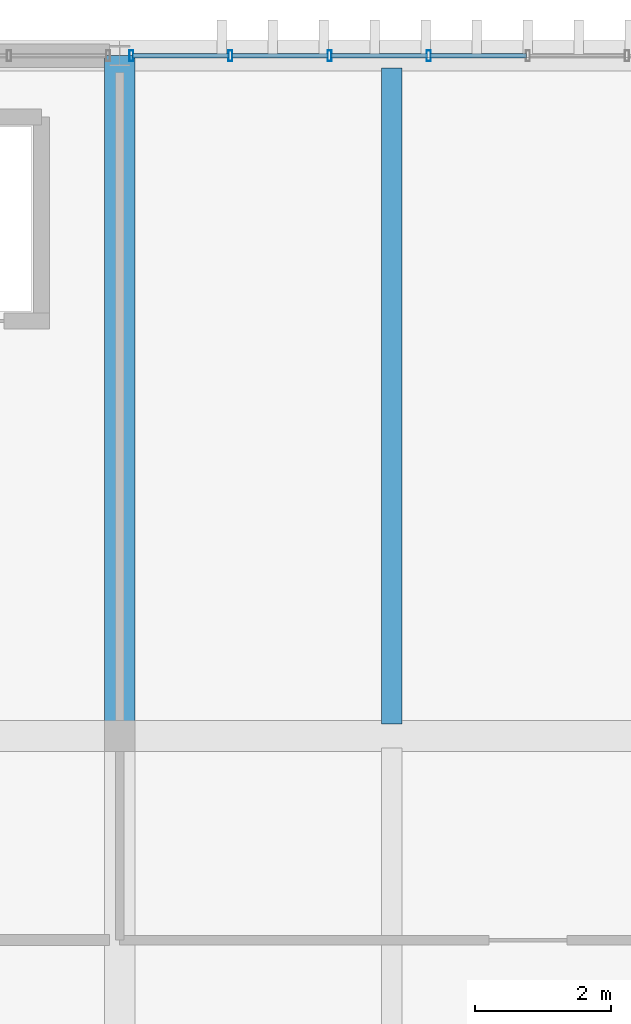
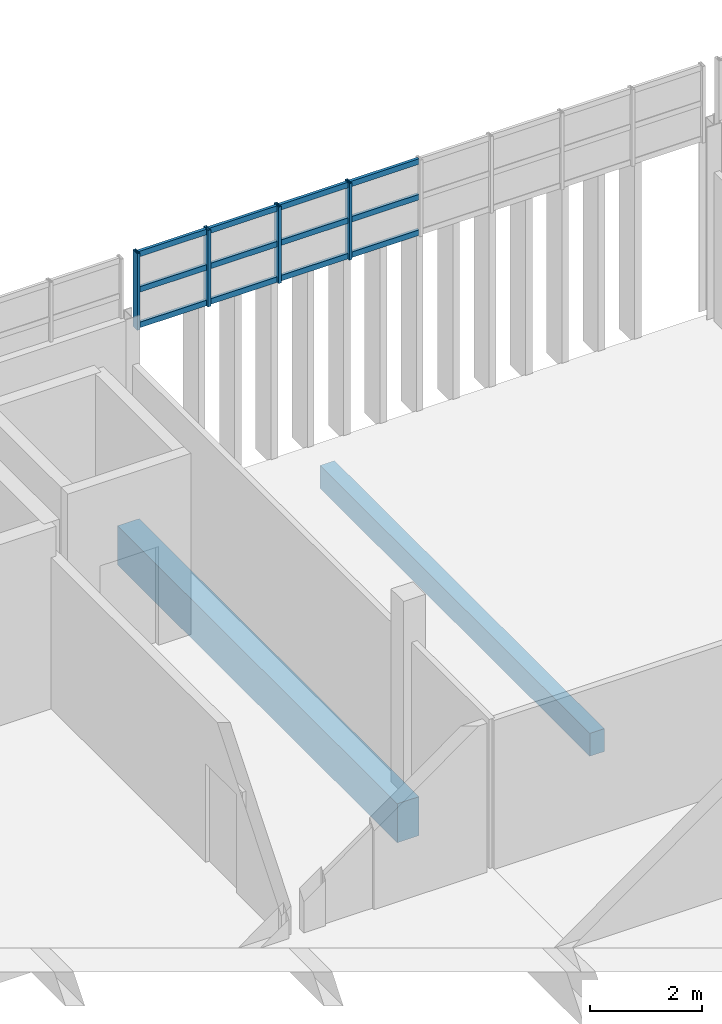
# One storey, part 13 of 36: 16 members, 2 beams, 1 element without a shape of its own.
"""IFC4 building model written with IfcOpenShell, lengths in metres."""

from ifc_helpers import new_model, si_unit, direction, frame, origin, origin_2d, place, context, subcontext, project, spatial, rectangle, hollow_rectangle, extrude, material, layer, layer_set, material_profile, profile_set, type_object, element, aggregate, save


model = new_model("IFC4")

# Units and contexts
model_context = context("Model", 3, precision=1e-05, world=origin(), true_north=direction((0.0, 1.0)))
body_context = subcontext(model_context, "Body", "Model", "MODEL_VIEW")
ifc_project = project(units=[si_unit("LENGTHUNIT", "METRE"), si_unit("AREAUNIT", "SQUARE_METRE"), si_unit("VOLUMEUNIT", "CUBIC_METRE"), si_unit("PLANEANGLEUNIT", "RADIAN"), si_unit("MASSUNIT", "GRAM", prefix="KILO")], contexts=[model_context])

# Site, building, storey
site_placement = place(None, origin())
site = spatial("IfcSite", under=ifc_project, at=site_placement, CompositionType="ELEMENT")
building_placement = place(site_placement, origin())
building = spatial("IfcBuilding", under=site, at=building_placement, Name="Mersad Railyard Sports Hall", CompositionType="ELEMENT")
storey_placement = place(building_placement, frame((0.0, 0.0, 21.60009765625)))
storey = spatial("IfcBuildingStorey", under=building, at=storey_placement, Name="L05", CompositionType="ELEMENT", Elevation=21.60009765625)

# Curtain wall, members
ifc_material_1 = material(Name="Aluminium 6063-T6", Category="aluminium")
ifc_layer = layer(ifc_material_1, 0.159912109375)
ifc_layer_set = layer_set([ifc_layer], Name="Aluminium 6063-T6")
curtain_wall_type = type_object("IfcCurtainWallType", Name="ARC-CW-CW49", PredefinedType="USERDEFINED", material=ifc_layer_set)
curtain_wall_placement = place(storey_placement, origin())
curtain_wall = element("IfcCurtainWall", 1, at=curtain_wall_placement, inside=storey, type_object=curtain_wall_type, Name="Curtain wall CW49-0131", ObjectType="CURTAIN WALL", PredefinedType="USERDEFINED")
ifc_material_profile_1 = material_profile(ifc_material_1, hollow_rectangle(XDim=0.06005859375, YDim=0.159912109375, WallThickness=0.00390625, at=origin_2d()), Name="AL MULLION 60x160x4")
ifc_profile_set_1 = profile_set([ifc_material_profile_1], Name="Aluminium 6063-T6")
member_type_1 = type_object("IfcMemberType", Name="ARC-CW-MUL01", PredefinedType="MULLION", material=ifc_profile_set_1)
member_1_placement = place(storey_placement, frame((79.169921875, 115.0, 3.829833984375), z_axis=(0.0, 0.0, 1.0), x_axis=(1.0, 0.0, 0.0)))
member_1 = element("IfcMember", 2, at=member_1_placement, type_object=member_type_1, Name="CW49 Mullion 1", PredefinedType="MULLION", context=body_context, shape_type="SweptSolid", body=[
    extrude(hollow_rectangle(XDim=0.06005859375, YDim=0.159912109375, WallThickness=0.00390625, at=origin_2d()), origin(), (0.0, 0.0, 1.0), 1.670166015625),
])
member_2_placement = place(storey_placement, frame((80.62744140625, 115.0, 3.829833984375), z_axis=(0.0, 0.0, 1.0), x_axis=(1.0, 0.0, 0.0)))
member_2 = element("IfcMember", 3, at=member_2_placement, type_object=member_type_1, Name="CW49 Mullion 2", PredefinedType="MULLION", context=body_context, shape_type="SweptSolid", body=[
    extrude(hollow_rectangle(XDim=0.06005859375, YDim=0.159912109375, WallThickness=0.00390625, at=origin_2d()), origin(), (0.0, 0.0, 1.0), 1.670166015625),
])
member_3_placement = place(storey_placement, frame((82.0849609375, 115.0, 3.829833984375), z_axis=(0.0, 0.0, 1.0), x_axis=(1.0, 0.0, 0.0)))
member_3 = element("IfcMember", 4, at=member_3_placement, type_object=member_type_1, Name="CW49 Mullion 3", PredefinedType="MULLION", context=body_context, shape_type="SweptSolid", body=[
    extrude(hollow_rectangle(XDim=0.06005859375, YDim=0.159912109375, WallThickness=0.00390625, at=origin_2d()), origin(), (0.0, 0.0, 1.0), 1.670166015625),
])
member_4_placement = place(storey_placement, frame((83.54248046875, 115.0, 3.829833984375), z_axis=(0.0, 0.0, 1.0), x_axis=(1.0, 0.0, 0.0)))
member_4 = element("IfcMember", 5, at=member_4_placement, type_object=member_type_1, Name="CW49 Mullion 4", PredefinedType="MULLION", context=body_context, shape_type="SweptSolid", body=[
    extrude(hollow_rectangle(XDim=0.06005859375, YDim=0.159912109375, WallThickness=0.00390625, at=origin_2d()), origin(), (0.0, 0.0, 1.0), 1.670166015625),
])
ifc_material_profile_2 = material_profile(ifc_material_1, hollow_rectangle(XDim=0.06005859375, YDim=0.1201171875, WallThickness=0.00390625, at=origin_2d()), Name="AL TRANSOM 60x120x4")
ifc_profile_set_2 = profile_set([ifc_material_profile_2], Name="Aluminium 6063-T6")
member_type_2 = type_object("IfcMemberType", Name="ARC-CW-TRN01", PredefinedType="USERDEFINED", material=ifc_profile_set_2)
member_5_placement = place(storey_placement, frame((79.18994140625, 115.0, 3.889892578125), z_axis=(1.0, 0.0, 0.0), x_axis=(0.0, 1.0, 0.0)))
member_5 = element("IfcMember", 6, at=member_5_placement, type_object=member_type_2, Name="CW49 Transom 1-1", ObjectType="TRANSOM", PredefinedType="USERDEFINED", context=body_context, shape_type="SweptSolid", body=[
    extrude(hollow_rectangle(XDim=0.06005859375, YDim=0.1201171875, WallThickness=0.00390625, at=origin_2d()), origin(), (0.0, 0.0, 1.0), 1.41748046875),
])
member_6_placement = place(storey_placement, frame((80.6474609375, 115.0, 3.889892578125), z_axis=(1.0, 0.0, 0.0), x_axis=(0.0, 1.0, 0.0)))
member_6 = element("IfcMember", 7, at=member_6_placement, type_object=member_type_2, Name="CW49 Transom 1-2", ObjectType="TRANSOM", PredefinedType="USERDEFINED", context=body_context, shape_type="SweptSolid", body=[
    extrude(hollow_rectangle(XDim=0.06005859375, YDim=0.1201171875, WallThickness=0.00390625, at=origin_2d()), origin(), (0.0, 0.0, 1.0), 1.41748046875),
])
member_7_placement = place(storey_placement, frame((82.10498046875, 115.0, 3.889892578125), z_axis=(1.0, 0.0, 0.0), x_axis=(0.0, 1.0, 0.0)))
member_7 = element("IfcMember", 8, at=member_7_placement, type_object=member_type_2, Name="CW49 Transom 1-3", ObjectType="TRANSOM", PredefinedType="USERDEFINED", context=body_context, shape_type="SweptSolid", body=[
    extrude(hollow_rectangle(XDim=0.06005859375, YDim=0.1201171875, WallThickness=0.00390625, at=origin_2d()), origin(), (0.0, 0.0, 1.0), 1.41748046875),
])
member_8_placement = place(storey_placement, frame((83.5625, 115.0, 3.889892578125), z_axis=(1.0, 0.0, 0.0), x_axis=(0.0, 1.0, 0.0)))
member_8 = element("IfcMember", 9, at=member_8_placement, type_object=member_type_2, Name="CW49 Transom 1-4", ObjectType="TRANSOM", PredefinedType="USERDEFINED", context=body_context, shape_type="SweptSolid", body=[
    extrude(hollow_rectangle(XDim=0.06005859375, YDim=0.1201171875, WallThickness=0.00390625, at=origin_2d()), origin(), (0.0, 0.0, 1.0), 1.41748046875),
])
member_9_placement = place(storey_placement, frame((79.18994140625, 115.0, 4.664794921875), z_axis=(1.0, 0.0, 0.0), x_axis=(0.0, 1.0, 0.0)))
member_9 = element("IfcMember", 10, at=member_9_placement, type_object=member_type_2, Name="CW49 Transom 2-1", ObjectType="TRANSOM", PredefinedType="USERDEFINED", context=body_context, shape_type="SweptSolid", body=[
    extrude(hollow_rectangle(XDim=0.06005859375, YDim=0.1201171875, WallThickness=0.00390625, at=origin_2d()), origin(), (0.0, 0.0, 1.0), 1.41748046875),
])
member_10_placement = place(storey_placement, frame((80.6474609375, 115.0, 4.664794921875), z_axis=(1.0, 0.0, 0.0), x_axis=(0.0, 1.0, 0.0)))
member_10 = element("IfcMember", 11, at=member_10_placement, type_object=member_type_2, Name="CW49 Transom 2-2", ObjectType="TRANSOM", PredefinedType="USERDEFINED", context=body_context, shape_type="SweptSolid", body=[
    extrude(hollow_rectangle(XDim=0.06005859375, YDim=0.1201171875, WallThickness=0.00390625, at=origin_2d()), origin(), (0.0, 0.0, 1.0), 1.41748046875),
])
member_11_placement = place(storey_placement, frame((82.10498046875, 115.0, 4.664794921875), z_axis=(1.0, 0.0, 0.0), x_axis=(0.0, 1.0, 0.0)))
member_11 = element("IfcMember", 12, at=member_11_placement, type_object=member_type_2, Name="CW49 Transom 2-3", ObjectType="TRANSOM", PredefinedType="USERDEFINED", context=body_context, shape_type="SweptSolid", body=[
    extrude(hollow_rectangle(XDim=0.06005859375, YDim=0.1201171875, WallThickness=0.00390625, at=origin_2d()), origin(), (0.0, 0.0, 1.0), 1.41748046875),
])
member_12_placement = place(storey_placement, frame((83.5625, 115.0, 4.664794921875), z_axis=(1.0, 0.0, 0.0), x_axis=(0.0, 1.0, 0.0)))
member_12 = element("IfcMember", 13, at=member_12_placement, type_object=member_type_2, Name="CW49 Transom 2-4", ObjectType="TRANSOM", PredefinedType="USERDEFINED", context=body_context, shape_type="SweptSolid", body=[
    extrude(hollow_rectangle(XDim=0.06005859375, YDim=0.1201171875, WallThickness=0.00390625, at=origin_2d()), origin(), (0.0, 0.0, 1.0), 1.41748046875),
])
member_13_placement = place(storey_placement, frame((79.18994140625, 115.0, 5.43994140625), z_axis=(1.0, 0.0, 0.0), x_axis=(0.0, 1.0, 0.0)))
member_13 = element("IfcMember", 14, at=member_13_placement, type_object=member_type_2, Name="CW49 Transom 3-1", ObjectType="TRANSOM", PredefinedType="USERDEFINED", context=body_context, shape_type="SweptSolid", body=[
    extrude(hollow_rectangle(XDim=0.06005859375, YDim=0.1201171875, WallThickness=0.00390625, at=origin_2d()), origin(), (0.0, 0.0, 1.0), 1.41748046875),
])
member_14_placement = place(storey_placement, frame((80.6474609375, 115.0, 5.43994140625), z_axis=(1.0, 0.0, 0.0), x_axis=(0.0, 1.0, 0.0)))
member_14 = element("IfcMember", 15, at=member_14_placement, type_object=member_type_2, Name="CW49 Transom 3-2", ObjectType="TRANSOM", PredefinedType="USERDEFINED", context=body_context, shape_type="SweptSolid", body=[
    extrude(hollow_rectangle(XDim=0.06005859375, YDim=0.1201171875, WallThickness=0.00390625, at=origin_2d()), origin(), (0.0, 0.0, 1.0), 1.41748046875),
])
member_15_placement = place(storey_placement, frame((82.10498046875, 115.0, 5.43994140625), z_axis=(1.0, 0.0, 0.0), x_axis=(0.0, 1.0, 0.0)))
member_15 = element("IfcMember", 16, at=member_15_placement, type_object=member_type_2, Name="CW49 Transom 3-3", ObjectType="TRANSOM", PredefinedType="USERDEFINED", context=body_context, shape_type="SweptSolid", body=[
    extrude(hollow_rectangle(XDim=0.06005859375, YDim=0.1201171875, WallThickness=0.00390625, at=origin_2d()), origin(), (0.0, 0.0, 1.0), 1.41748046875),
])
member_16_placement = place(storey_placement, frame((83.5625, 115.0, 5.43994140625), z_axis=(1.0, 0.0, 0.0), x_axis=(0.0, 1.0, 0.0)))
member_16 = element("IfcMember", 17, at=member_16_placement, type_object=member_type_2, Name="CW49 Transom 3-4", ObjectType="TRANSOM", PredefinedType="USERDEFINED", context=body_context, shape_type="SweptSolid", body=[
    extrude(hollow_rectangle(XDim=0.06005859375, YDim=0.1201171875, WallThickness=0.00390625, at=origin_2d()), origin(), (0.0, 0.0, 1.0), 1.41748046875),
])
aggregate(curtain_wall, [member_1, member_2, member_3, member_4, member_5, member_6, member_7, member_8, member_9, member_10, member_11, member_12, member_13, member_14, member_15, member_16])

# Beams
ifc_material_2 = material(Name="Concrete C40/50", Category="concrete")
ifc_material_profile_3 = material_profile(ifc_material_2, rectangle(XDim=0.449951171875, YDim=0.85009765625, at=origin_2d()), Name="RC 450x850")
ifc_profile_set_3 = profile_set([ifc_material_profile_3], Name="Concrete C40/50")
beam_type_1 = type_object("IfcBeamType", Name="STR-BM-B02", PredefinedType="BEAM", material=ifc_profile_set_3)
beam_1_placement = place(storey_placement, frame((79.0, 105.0, -0.775146484375), z_axis=(0.0, 1.0, 0.0), x_axis=(-1.0, 0.0, 0.0)))
element("IfcBeam", 18, at=beam_1_placement, inside=storey, type_object=beam_type_1, Name="Beam B02-1435", PredefinedType="BEAM", context=body_context, shape_type="SweptSolid", body=[
    extrude(rectangle(XDim=0.449951171875, YDim=0.85009765625, at=origin_2d()), origin(), (0.0, 0.0, 1.0), 10.0),
])
ifc_material_profile_4 = material_profile(ifc_material_2, rectangle(XDim=0.300048828125, YDim=0.5, at=origin_2d()), Name="RC 300x500")
ifc_profile_set_4 = profile_set([ifc_material_profile_4], Name="Concrete C40/50")
beam_type_2 = type_object("IfcBeamType", Name="STR-BM-LN01", PredefinedType="LINTEL", material=ifc_profile_set_4)
beam_2_placement = place(storey_placement, frame((83.0, 105.179931640625, -0.60009765625), z_axis=(0.0, 1.0, 0.0), x_axis=(-1.0, 0.0, 0.0)))
element("IfcBeam", 19, at=beam_2_placement, inside=storey, type_object=beam_type_2, Name="Beam LN01-1463", PredefinedType="LINTEL", context=body_context, shape_type="SweptSolid", body=[
    extrude(rectangle(XDim=0.300048828125, YDim=0.5, at=origin_2d()), origin(), (0.0, 0.0, 1.0), 9.64013671875),
])

save(model, "model.ifc")
